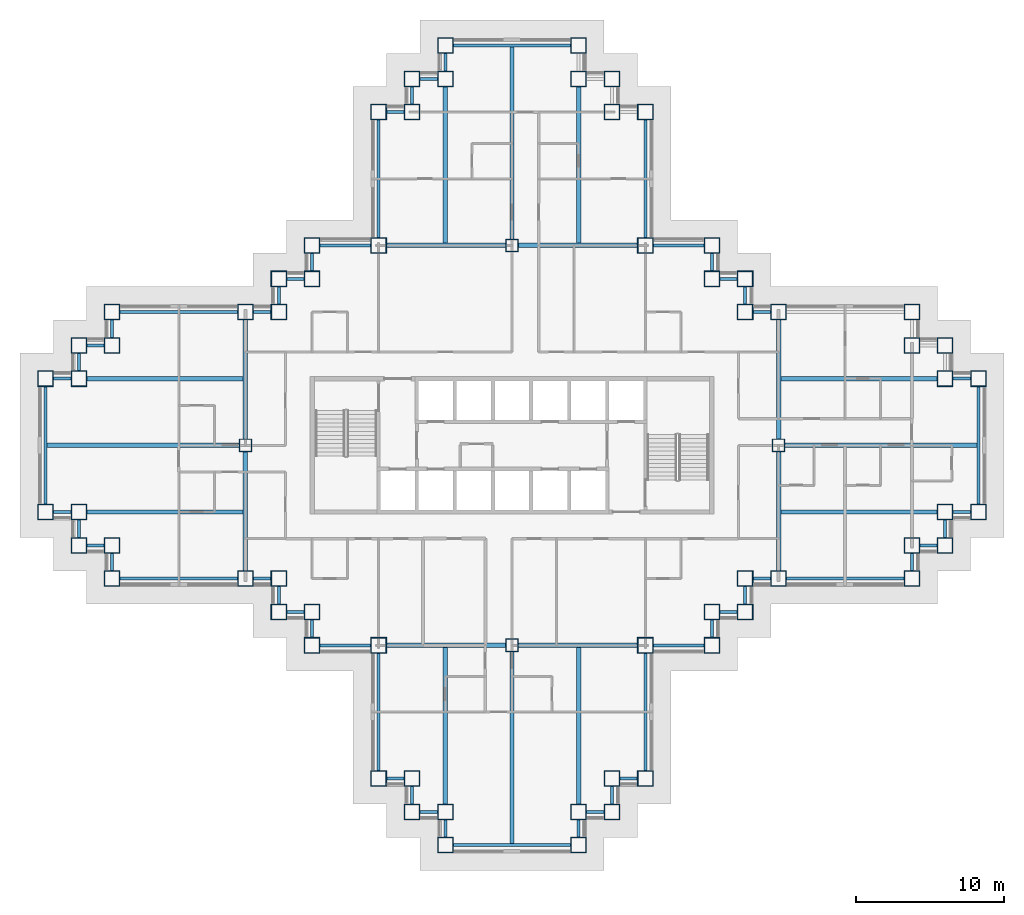
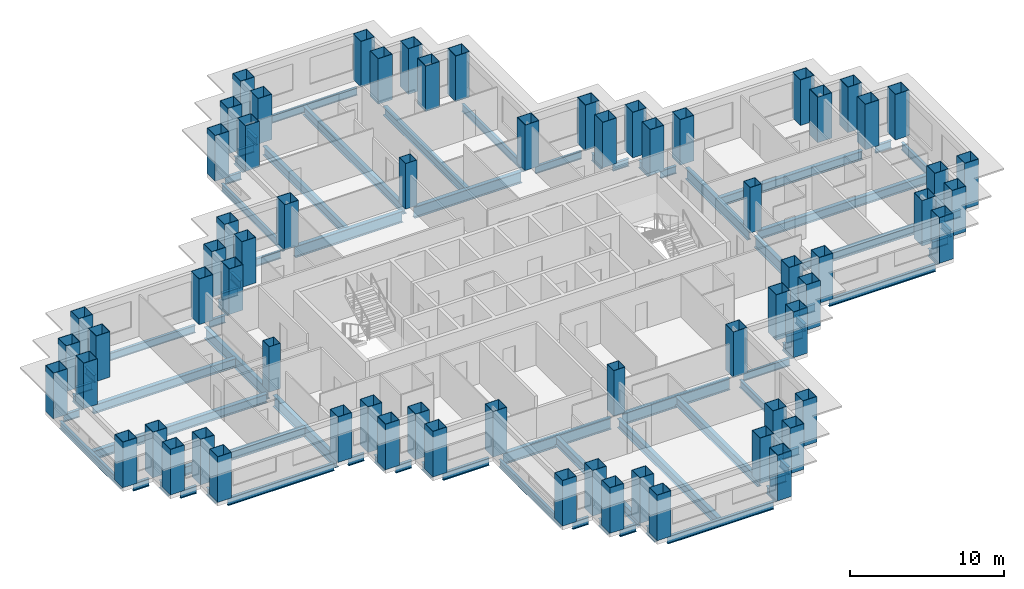
# One storey, part 1 of 14: 76 beams, 68 columns.
"""IFC4 building model written with IfcOpenShell, lengths in metres."""

from ifc_helpers import new_model, si_unit, direction, frame, origin, origin_2d, place, context, subcontext, project, spatial, hollow_rectangle, i_section, extrude, material, material_profile, profile_set, type_object, element, save


model = new_model("IFC4")

# Units and contexts
model_context = context("Model", 3, precision=1e-05, world=origin(), true_north=direction((0.0, 1.0)))
body_context = subcontext(model_context, "Body", "Model", "MODEL_VIEW")
ifc_project = project(units=[si_unit("LENGTHUNIT", "METRE"), si_unit("AREAUNIT", "SQUARE_METRE"), si_unit("VOLUMEUNIT", "CUBIC_METRE"), si_unit("PLANEANGLEUNIT", "RADIAN"), si_unit("MASSUNIT", "GRAM", prefix="KILO")], contexts=[model_context])

# Site, building, storey
site_placement = place(None, origin())
site = spatial("IfcSite", under=ifc_project, at=site_placement, CompositionType="ELEMENT")
building_placement = place(site_placement, origin())
building = spatial("IfcBuilding", under=site, at=building_placement, Name="Caravel Reach Hotel and Residences", CompositionType="ELEMENT")
storey_placement = place(building_placement, frame((0.0, 0.0, 37.199951171875)))
storey = spatial("IfcBuildingStorey", under=building, at=storey_placement, Name="L07", CompositionType="ELEMENT", Elevation=37.199951171875)

# Columns
ifc_material_1 = material(Name="Concrete-filled steel tube Q390B with Concrete C70 infill", Category="concrete")
ifc_material_profile_1 = material_profile(ifc_material_1, hollow_rectangle(XDim=1.050048828125, YDim=1.050048828125, WallThickness=0.033935546875, at=origin_2d()), Name="RHS 1050x1050x34")
ifc_profile_set_1 = profile_set([ifc_material_profile_1], Name="Concrete-filled steel tube Q390B with Concrete C70 infill")
column_type_1 = type_object("IfcColumnType", Name="CFT 1050x1050 Q390B C70", PredefinedType="COLUMN", material=ifc_profile_set_1)
for number, where, z_axis, x_axis, name in (
    (1, (22.5, 4.5, 0.0), (0.0, 0.0, 1.0), (1.0, 0.0, 0.0), "C11 column"),
    (2, (24.75, 4.5, 0.0), (0.0, 0.0, 1.0), (1.0, 0.0, 0.0), "C11 column"),
    (3, (24.75, 2.25, 0.0), (0.0, 0.0, 1.0), (1.0, 0.0, 0.0), "C11 column"),
    (4, (27.0, 2.25, 0.0), (0.0, 0.0, 1.0), (1.0, 0.0, 0.0), "C11 column"),
    (5, (27.0, 0.0, 0.0), (0.0, 0.0, 1.0), (1.0, 0.0, 0.0), "C11 column"),
    (6, (36.0, 0.0, 0.0), (0.0, 0.0, 1.0), (1.0, 0.0, 0.0), "C11 column"),
    (7, (36.0, 2.25, 0.0), (0.0, 0.0, 1.0), (1.0, 0.0, 0.0), "C11 column"),
    (8, (38.25, 2.25, 0.0), (0.0, 0.0, 1.0), (1.0, 0.0, 0.0), "C11 column"),
    (9, (38.25, 4.5, 0.0), (0.0, 0.0, 1.0), (1.0, 0.0, 0.0), "C11 column"),
    (10, (40.5, 4.5, 0.0), (0.0, 0.0, 1.0), (1.0, 0.0, 0.0), "C11 column"),
    (11, (40.5, 13.5, 0.0), (0.0, 0.0, 1.0), (1.0, 0.0, 0.0), "C11 column"),
    (12, (45.0, 13.5, 0.0), (0.0, 0.0, 1.0), (1.0, 0.0, 0.0), "C11 column"),
    (13, (45.0, 15.75, 0.0), (0.0, 0.0, 1.0), (1.0, 0.0, 0.0), "C11 column"),
    (14, (47.25, 15.75, 0.0), (0.0, 0.0, 1.0), (1.0, 0.0, 0.0), "C11 column"),
    (15, (47.25, 18.0, 0.0), (0.0, 0.0, 1.0), (1.0, 0.0, 0.0), "C11 column"),
    (16, (49.5, 18.0, 0.0), (0.0, 0.0, 1.0), (1.0, 0.0, 0.0), "C11 column"),
    (17, (58.5, 18.0, 0.0), (0.0, 0.0, 1.0), (1.0, 0.0, 0.0), "C11 column"),
    (18, (58.5, 20.25, 0.0), (0.0, 0.0, 1.0), (1.0, 0.0, 0.0), "C11 column"),
    (19, (60.75, 20.25, 0.0), (0.0, 0.0, 1.0), (1.0, 0.0, 0.0), "C11 column"),
    (20, (60.75, 22.5, 0.0), (0.0, 0.0, 1.0), (1.0, 0.0, 0.0), "C11 column"),
    (21, (63.0, 22.5, 0.0), (0.0, 0.0, 1.0), (1.0, 0.0, 0.0), "C11 column"),
    (22, (63.0, 31.5, 0.0), (0.0, 0.0, 1.0), (1.0, 0.0, 0.0), "C11 column"),
    (23, (60.75, 31.5, 0.0), (0.0, 0.0, 1.0), (1.0, 0.0, 0.0), "C11 column"),
    (24, (60.75, 33.75, 0.0), (0.0, 0.0, 1.0), (1.0, 0.0, 0.0), "C11 column"),
    (25, (58.5, 33.75, 0.0), (0.0, 0.0, 1.0), (1.0, 0.0, 0.0), "C11 column"),
    (26, (58.5, 36.0, 0.0), (0.0, 0.0, 1.0), (1.0, 0.0, 0.0), "C11 column"),
    (27, (49.5, 36.0, 0.0), (0.0, 0.0, 1.0), (1.0, 0.0, 0.0), "C11 column"),
    (28, (47.25, 36.0, 0.0), (0.0, 0.0, 1.0), (1.0, 0.0, 0.0), "C11 column"),
    (29, (47.25, 38.25, 0.0), (0.0, 0.0, 1.0), (1.0, 0.0, 0.0), "C11 column"),
    (30, (45.0, 38.25, 0.0), (0.0, 0.0, 1.0), (1.0, 0.0, 0.0), "C11 column"),
    (31, (45.0, 40.5, 0.0), (0.0, 0.0, 1.0), (1.0, 0.0, 0.0), "C11 column"),
    (32, (40.5, 40.5, 0.0), (0.0, 0.0, 1.0), (1.0, 0.0, 0.0), "C11 column"),
    (33, (40.5, 49.5, 0.0), (0.0, 0.0, 1.0), (1.0, 0.0, 0.0), "C11 column"),
    (34, (38.25, 49.5, 0.0), (0.0, 0.0, 1.0), (1.0, 0.0, 0.0), "C11 column"),
    (35, (38.25, 51.75, 0.0), (0.0, 0.0, 1.0), (1.0, 0.0, 0.0), "C11 column"),
    (36, (36.0, 51.75, 0.0), (0.0, 0.0, 1.0), (1.0, 0.0, 0.0), "C11 column"),
    (37, (36.0, 54.0, 0.0), (0.0, 0.0, 1.0), (1.0, 0.0, 0.0), "C11 column"),
    (38, (27.0, 54.0, 0.0), (0.0, 0.0, 1.0), (1.0, 0.0, 0.0), "C11 column"),
    (39, (27.0, 51.75, 0.0), (0.0, 0.0, 1.0), (1.0, 0.0, 0.0), "C11 column"),
    (40, (24.75, 51.75, 0.0), (0.0, 0.0, 1.0), (1.0, 0.0, 0.0), "C11 column"),
    (41, (24.75, 49.5, 0.0), (0.0, 0.0, 1.0), (1.0, 0.0, 0.0), "C11 column"),
    (42, (22.5, 49.5, 0.0), (0.0, 0.0, 1.0), (1.0, 0.0, 0.0), "C11 column"),
    (43, (22.5, 40.5, 0.0), (0.0, 0.0, 1.0), (1.0, 0.0, 0.0), "C11 column"),
    (44, (18.0, 40.5, 0.0), (0.0, 0.0, 1.0), (1.0, 0.0, 0.0), "C11 column"),
    (45, (18.0, 38.25, 0.0), (0.0, 0.0, 1.0), (1.0, 0.0, 0.0), "C11 column"),
    (46, (15.75, 38.25, 0.0), (0.0, 0.0, 1.0), (1.0, 0.0, 0.0), "C11 column"),
    (47, (15.75, 36.0, 0.0), (0.0, 0.0, 1.0), (1.0, 0.0, 0.0), "C11 column"),
    (48, (13.5, 36.0, 0.0), (0.0, 0.0, 1.0), (1.0, 0.0, 0.0), "C11 column"),
    (49, (4.5, 36.0, 0.0), (0.0, 0.0, 1.0), (1.0, 0.0, 0.0), "C11 column"),
    (50, (4.5, 33.75, 0.0), (0.0, 0.0, 1.0), (1.0, 0.0, 0.0), "C11 column"),
    (51, (2.25, 33.75, 0.0), (0.0, 0.0, 1.0), (1.0, 0.0, 0.0), "C11 column"),
    (52, (2.25, 31.5, 0.0), (0.0, 0.0, 1.0), (1.0, 0.0, 0.0), "C11 column"),
    (53, (0.0, 31.5, 0.0), (0.0, 0.0, 1.0), (1.0, 0.0, 0.0), "C11 column"),
    (54, (0.0, 22.5, 0.0), (0.0, 0.0, 1.0), (1.0, 0.0, 0.0), "C11 column"),
    (55, (2.25, 22.5, 0.0), (0.0, 0.0, 1.0), (1.0, 0.0, 0.0), "C11 column"),
    (56, (2.25, 20.25, 0.0), (0.0, 0.0, 1.0), (1.0, 0.0, 0.0), "C11 column"),
    (57, (4.5, 20.25, 0.0), (0.0, 0.0, 1.0), (1.0, 0.0, 0.0), "C11 column"),
    (58, (4.5, 18.0, 0.0), (0.0, 0.0, 1.0), (1.0, 0.0, 0.0), "C11 column"),
    (59, (13.5, 18.0, 0.0), (0.0, 0.0, 1.0), (1.0, 0.0, 0.0), "C11 column"),
    (60, (15.75, 18.0, 0.0), (0.0, 0.0, 1.0), (1.0, 0.0, 0.0), "C11 column"),
    (61, (15.75, 15.75, 0.0), (0.0, 0.0, 1.0), (1.0, 0.0, 0.0), "C11 column"),
    (62, (18.0, 15.75, 0.0), (0.0, 0.0, 1.0), (1.0, 0.0, 0.0), "C11 column"),
    (63, (18.0, 13.5, 0.0), (0.0, 0.0, 1.0), (1.0, 0.0, 0.0), "C11 column"),
    (64, (22.5, 13.5, 0.0), (0.0, 0.0, 1.0), (1.0, 0.0, 0.0), "C11 column"),
):
    element("IfcColumn", number, at=place(storey_placement, frame(where, z_axis=z_axis, x_axis=x_axis)), inside=storey, type_object=column_type_1, Name=name, PredefinedType="COLUMN", context=body_context, shape_type="SweptSolid", body=[
        extrude(hollow_rectangle(XDim=1.050048828125, YDim=1.050048828125, WallThickness=0.033935546875, at=origin_2d()), origin(), (0.0, 0.0, 1.0), 3.60009765625),
    ])
ifc_material_2 = material(Name="Concrete-filled steel tube Q390B with Concrete C70 infill", Category="concrete")
ifc_material_profile_2 = material_profile(ifc_material_2, hollow_rectangle(XDim=0.85009765625, YDim=0.85009765625, WallThickness=0.02587890625, at=origin_2d()), Name="RHS 850x850x26")
ifc_profile_set_2 = profile_set([ifc_material_profile_2], Name="Concrete-filled steel tube Q390B with Concrete C70 infill")
column_type_2 = type_object("IfcColumnType", Name="CFT 850x850 Q390B C70", PredefinedType="COLUMN", material=ifc_profile_set_2)
for number, where, z_axis, x_axis, name in (
    (65, (31.5, 40.5, 0.0), (0.0, 0.0, 1.0), (1.0, 0.0, 0.0), "C13 column"),
    (66, (31.5, 13.5, 0.0), (0.0, 0.0, 1.0), (1.0, 0.0, 0.0), "C13 column"),
    (67, (13.5, 27.0, 0.0), (0.0, 0.0, 1.0), (1.0, 0.0, 0.0), "C13 column"),
    (68, (49.5, 27.0, 0.0), (0.0, 0.0, 1.0), (1.0, 0.0, 0.0), "C13 column"),
):
    element("IfcColumn", number, at=place(storey_placement, frame(where, z_axis=z_axis, x_axis=x_axis)), inside=storey, type_object=column_type_2, Name=name, PredefinedType="COLUMN", context=body_context, shape_type="SweptSolid", body=[
        extrude(hollow_rectangle(XDim=0.85009765625, YDim=0.85009765625, WallThickness=0.02587890625, at=origin_2d()), origin(), (0.0, 0.0, 1.0), 3.60009765625),
    ])

# Beams
ifc_material_3 = material(Name="Structural steel Q355B", Category="steel")
ifc_material_profile_3 = material_profile(ifc_material_3, i_section(OverallWidth=0.300048828125, OverallDepth=0.699951171875, WebThickness=0.012939453125, FlangeThickness=0.02392578125, FilletRadius=0.01806640625, at=origin_2d()), Name="HN 700x300x13x24")
ifc_profile_set_3 = profile_set([ifc_material_profile_3], Name="Structural steel Q355B")
beam_type_1 = type_object("IfcBeamType", Name="Beam HN 700x300x13x24", PredefinedType="BEAM", material=ifc_profile_set_3)
beam_1_placement = place(storey_placement, frame((27.0, 40.60009765625, -0.64990234375), z_axis=(0.0, 1.0, 0.0), x_axis=(-1.0, 0.0, 0.0)))
element("IfcBeam", 69, at=beam_1_placement, inside=storey, type_object=beam_type_1, Name="B2 HN 700x300x13x24", PredefinedType="BEAM", context=body_context, shape_type="SweptSolid", body=[
    extrude(i_section(OverallWidth=0.300048828125, OverallDepth=0.699951171875, WebThickness=0.012939453125, FlangeThickness=0.02392578125, FilletRadius=0.01806640625, at=origin_2d()), origin(), (0.0, 0.0, 1.0), 10.6748046875),
])
beam_2_placement = place(storey_placement, frame((31.5, 40.875, -0.64990234375), z_axis=(0.0, 1.0, 0.0), x_axis=(-1.0, 0.0, 0.0)))
element("IfcBeam", 70, at=beam_2_placement, inside=storey, type_object=beam_type_1, Name="B2 HN 700x300x13x24", PredefinedType="BEAM", context=body_context, shape_type="SweptSolid", body=[
    extrude(i_section(OverallWidth=0.300048828125, OverallDepth=0.699951171875, WebThickness=0.012939453125, FlangeThickness=0.02392578125, FilletRadius=0.01806640625, at=origin_2d()), origin(), (0.0, 0.0, 1.0), 13.02490234375),
])
for number, where, z_axis, x_axis, name in (
    (71, (36.0, 40.60009765625, -0.64990234375), (0.0, 1.0, 0.0), (-1.0, 0.0, 0.0), "B2 HN 700x300x13x24"),
    (72, (27.0, 13.39990234375, -0.64990234375), (0.0, -1.0, 0.0), (1.0, 0.0, 0.0), "B2 HN 700x300x13x24"),
):
    element("IfcBeam", number, at=place(storey_placement, frame(where, z_axis=z_axis, x_axis=x_axis)), inside=storey, type_object=beam_type_1, Name=name, PredefinedType="BEAM", context=body_context, shape_type="SweptSolid", body=[
        extrude(i_section(OverallWidth=0.300048828125, OverallDepth=0.699951171875, WebThickness=0.012939453125, FlangeThickness=0.02392578125, FilletRadius=0.01806640625, at=origin_2d()), origin(), (0.0, 0.0, 1.0), 10.6748046875),
    ])
beam_3_placement = place(storey_placement, frame((31.5, 13.125, -0.64990234375), z_axis=(0.0, -1.0, 0.0), x_axis=(1.0, 0.0, 0.0)))
element("IfcBeam", 73, at=beam_3_placement, inside=storey, type_object=beam_type_1, Name="B2 HN 700x300x13x24", PredefinedType="BEAM", context=body_context, shape_type="SweptSolid", body=[
    extrude(i_section(OverallWidth=0.300048828125, OverallDepth=0.699951171875, WebThickness=0.012939453125, FlangeThickness=0.02392578125, FilletRadius=0.01806640625, at=origin_2d()), origin(), (0.0, 0.0, 1.0), 13.02490234375),
])
for number, where, z_axis, x_axis, name in (
    (74, (36.0, 13.39990234375, -0.64990234375), (0.0, -1.0, 0.0), (1.0, 0.0, 0.0), "B2 HN 700x300x13x24"),
    (75, (49.60009765625, 22.5, -0.64990234375), (1.0, 0.0, 0.0), (0.0, 1.0, 0.0), "B2 HN 700x300x13x24"),
):
    element("IfcBeam", number, at=place(storey_placement, frame(where, z_axis=z_axis, x_axis=x_axis)), inside=storey, type_object=beam_type_1, Name=name, PredefinedType="BEAM", context=body_context, shape_type="SweptSolid", body=[
        extrude(i_section(OverallWidth=0.300048828125, OverallDepth=0.699951171875, WebThickness=0.012939453125, FlangeThickness=0.02392578125, FilletRadius=0.01806640625, at=origin_2d()), origin(), (0.0, 0.0, 1.0), 10.6748046875),
    ])
beam_4_placement = place(storey_placement, frame((49.875, 27.0, -0.64990234375), z_axis=(1.0, 0.0, 0.0), x_axis=(0.0, 1.0, 0.0)))
element("IfcBeam", 76, at=beam_4_placement, inside=storey, type_object=beam_type_1, Name="B2 HN 700x300x13x24", PredefinedType="BEAM", context=body_context, shape_type="SweptSolid", body=[
    extrude(i_section(OverallWidth=0.300048828125, OverallDepth=0.699951171875, WebThickness=0.012939453125, FlangeThickness=0.02392578125, FilletRadius=0.01806640625, at=origin_2d()), origin(), (0.0, 0.0, 1.0), 13.02490234375),
])
for number, where, z_axis, x_axis, name in (
    (77, (49.60009765625, 31.5, -0.64990234375), (1.0, 0.0, 0.0), (0.0, 1.0, 0.0), "B2 HN 700x300x13x24"),
    (78, (13.39990234375, 22.5, -0.64990234375), (-1.0, 0.0, 0.0), (0.0, -1.0, 0.0), "B2 HN 700x300x13x24"),
):
    element("IfcBeam", number, at=place(storey_placement, frame(where, z_axis=z_axis, x_axis=x_axis)), inside=storey, type_object=beam_type_1, Name=name, PredefinedType="BEAM", context=body_context, shape_type="SweptSolid", body=[
        extrude(i_section(OverallWidth=0.300048828125, OverallDepth=0.699951171875, WebThickness=0.012939453125, FlangeThickness=0.02392578125, FilletRadius=0.01806640625, at=origin_2d()), origin(), (0.0, 0.0, 1.0), 10.6748046875),
    ])
beam_5_placement = place(storey_placement, frame((13.125, 27.0, -0.64990234375), z_axis=(-1.0, 0.0, 0.0), x_axis=(0.0, -1.0, 0.0)))
element("IfcBeam", 79, at=beam_5_placement, inside=storey, type_object=beam_type_1, Name="B2 HN 700x300x13x24", PredefinedType="BEAM", context=body_context, shape_type="SweptSolid", body=[
    extrude(i_section(OverallWidth=0.300048828125, OverallDepth=0.699951171875, WebThickness=0.012939453125, FlangeThickness=0.02392578125, FilletRadius=0.01806640625, at=origin_2d()), origin(), (0.0, 0.0, 1.0), 13.02490234375),
])
beam_6_placement = place(storey_placement, frame((13.39990234375, 31.5, -0.64990234375), z_axis=(-1.0, 0.0, 0.0), x_axis=(0.0, -1.0, 0.0)))
element("IfcBeam", 80, at=beam_6_placement, inside=storey, type_object=beam_type_1, Name="B2 HN 700x300x13x24", PredefinedType="BEAM", context=body_context, shape_type="SweptSolid", body=[
    extrude(i_section(OverallWidth=0.300048828125, OverallDepth=0.699951171875, WebThickness=0.012939453125, FlangeThickness=0.02392578125, FilletRadius=0.01806640625, at=origin_2d()), origin(), (0.0, 0.0, 1.0), 10.6748046875),
])
ifc_material_4 = material(Name="Structural steel Q355B", Category="steel")
ifc_material_profile_4 = material_profile(ifc_material_4, i_section(OverallWidth=0.300048828125, OverallDepth=0.89990234375, WebThickness=0.01611328125, FlangeThickness=0.028076171875, FilletRadius=0.01806640625, at=origin_2d()), Name="HN 900x300x16x28")
ifc_profile_set_4 = profile_set([ifc_material_profile_4], Name="Structural steel Q355B")
beam_type_2 = type_object("IfcBeamType", Name="Beam HN 900x300x16x28", PredefinedType="BEAM", material=ifc_profile_set_4)
for number, where, z_axis, x_axis, name in (
    (81, (23.02490234375, 40.5, -0.75), (1.0, 0.0, 0.0), (0.0, 1.0, 0.0), "B3 HN 900x300x16x28"),
    (82, (31.925048828125, 40.5, -0.75), (1.0, 0.0, 0.0), (0.0, 1.0, 0.0), "B3 HN 900x300x16x28"),
    (83, (23.02490234375, 13.5, -0.75), (1.0, 0.0, 0.0), (0.0, 1.0, 0.0), "B3 HN 900x300x16x28"),
    (84, (31.925048828125, 13.5, -0.75), (1.0, 0.0, 0.0), (0.0, 1.0, 0.0), "B3 HN 900x300x16x28"),
    (85, (13.5, 18.52490234375, -0.75), (0.0, 1.0, 0.0), (-1.0, 0.0, 0.0), "B3 HN 900x300x16x28"),
    (86, (13.5, 27.425048828125, -0.75), (0.0, 1.0, 0.0), (-1.0, 0.0, 0.0), "B3 HN 900x300x16x28"),
    (87, (49.5, 18.52490234375, -0.75), (0.0, 1.0, 0.0), (-1.0, 0.0, 0.0), "B3 HN 900x300x16x28"),
    (88, (49.5, 27.425048828125, -0.75), (0.0, 1.0, 0.0), (-1.0, 0.0, 0.0), "B3 HN 900x300x16x28"),
):
    element("IfcBeam", number, at=place(storey_placement, frame(where, z_axis=z_axis, x_axis=x_axis)), inside=storey, type_object=beam_type_2, Name=name, PredefinedType="BEAM", context=body_context, shape_type="SweptSolid", body=[
        extrude(i_section(OverallWidth=0.300048828125, OverallDepth=0.89990234375, WebThickness=0.01611328125, FlangeThickness=0.028076171875, FilletRadius=0.01806640625, at=origin_2d()), origin(), (0.0, 0.0, 1.0), 8.050048828125),
    ])
ifc_material_5 = material(Name="Structural steel Q355B", Category="steel")
ifc_material_profile_5 = material_profile(ifc_material_5, i_section(OverallWidth=0.199951171875, OverallDepth=0.60009765625, WebThickness=0.010986328125, FlangeThickness=0.01708984375, FilletRadius=0.012939453125, at=origin_2d()), Name="HN 600x200x11x17")
ifc_profile_set_5 = profile_set([ifc_material_profile_5], Name="Structural steel Q355B")
beam_type_3 = type_object("IfcBeamType", Name="Spandrel beam HN 600x200x11x17", PredefinedType="SPANDREL", material=ifc_profile_set_5)
for number, where, z_axis, x_axis, name in (
    (89, (23.02490234375, 4.5, -0.599853515625), (1.0, 0.0, 0.0), (0.0, 1.0, 0.0), "SP1 HN 600x200x11x17"),
    (90, (24.75, 3.97509765625, -0.599853515625), (0.0, -1.0, 0.0), (1.0, 0.0, 0.0), "SP1 HN 600x200x11x17"),
    (91, (25.27490234375, 2.25, -0.599853515625), (1.0, 0.0, 0.0), (0.0, 1.0, 0.0), "SP1 HN 600x200x11x17"),
    (92, (27.0, 1.72509765625, -0.599853515625), (0.0, -1.0, 0.0), (1.0, 0.0, 0.0), "SP1 HN 600x200x11x17"),
):
    element("IfcBeam", number, at=place(storey_placement, frame(where, z_axis=z_axis, x_axis=x_axis)), inside=storey, type_object=beam_type_3, Name=name, PredefinedType="SPANDREL", context=body_context, shape_type="SweptSolid", body=[
        extrude(i_section(OverallWidth=0.199951171875, OverallDepth=0.60009765625, WebThickness=0.010986328125, FlangeThickness=0.01708984375, FilletRadius=0.012939453125, at=origin_2d()), origin(), (0.0, 0.0, 1.0), 1.2001953125),
    ])
beam_7_placement = place(storey_placement, frame((27.52490234375, 0.0, -0.599853515625), z_axis=(1.0, 0.0, 0.0), x_axis=(0.0, 1.0, 0.0)))
element("IfcBeam", 93, at=beam_7_placement, inside=storey, type_object=beam_type_3, Name="SP1 HN 600x200x11x17", PredefinedType="SPANDREL", context=body_context, shape_type="SweptSolid", body=[
    extrude(i_section(OverallWidth=0.199951171875, OverallDepth=0.60009765625, WebThickness=0.010986328125, FlangeThickness=0.01708984375, FilletRadius=0.012939453125, at=origin_2d()), origin(), (0.0, 0.0, 1.0), 7.9501953125),
])
for number, where, z_axis, x_axis, name in (
    (94, (36.0, 0.52490234375, -0.599853515625), (0.0, 1.0, 0.0), (-1.0, 0.0, 0.0), "SP1 HN 600x200x11x17"),
    (95, (36.52490234375, 2.25, -0.599853515625), (1.0, 0.0, 0.0), (0.0, 1.0, 0.0), "SP1 HN 600x200x11x17"),
    (96, (38.25, 2.77490234375, -0.599853515625), (0.0, 1.0, 0.0), (-1.0, 0.0, 0.0), "SP1 HN 600x200x11x17"),
    (97, (38.77490234375, 4.5, -0.599853515625), (1.0, 0.0, 0.0), (0.0, 1.0, 0.0), "SP1 HN 600x200x11x17"),
):
    element("IfcBeam", number, at=place(storey_placement, frame(where, z_axis=z_axis, x_axis=x_axis)), inside=storey, type_object=beam_type_3, Name=name, PredefinedType="SPANDREL", context=body_context, shape_type="SweptSolid", body=[
        extrude(i_section(OverallWidth=0.199951171875, OverallDepth=0.60009765625, WebThickness=0.010986328125, FlangeThickness=0.01708984375, FilletRadius=0.012939453125, at=origin_2d()), origin(), (0.0, 0.0, 1.0), 1.2001953125),
    ])
beam_8_placement = place(storey_placement, frame((40.5, 5.02490234375, -0.599853515625), z_axis=(0.0, 1.0, 0.0), x_axis=(-1.0, 0.0, 0.0)))
element("IfcBeam", 98, at=beam_8_placement, inside=storey, type_object=beam_type_3, Name="SP1 HN 600x200x11x17", PredefinedType="SPANDREL", context=body_context, shape_type="SweptSolid", body=[
    extrude(i_section(OverallWidth=0.199951171875, OverallDepth=0.60009765625, WebThickness=0.010986328125, FlangeThickness=0.01708984375, FilletRadius=0.012939453125, at=origin_2d()), origin(), (0.0, 0.0, 1.0), 7.9501953125),
])
beam_9_placement = place(storey_placement, frame((41.02490234375, 13.5, -0.599853515625), z_axis=(1.0, 0.0, 0.0), x_axis=(0.0, 1.0, 0.0)))
element("IfcBeam", 99, at=beam_9_placement, inside=storey, type_object=beam_type_3, Name="SP1 HN 600x200x11x17", PredefinedType="SPANDREL", context=body_context, shape_type="SweptSolid", body=[
    extrude(i_section(OverallWidth=0.199951171875, OverallDepth=0.60009765625, WebThickness=0.010986328125, FlangeThickness=0.01708984375, FilletRadius=0.012939453125, at=origin_2d()), origin(), (0.0, 0.0, 1.0), 3.4501953125),
])
for number, where, z_axis, x_axis, name in (
    (100, (45.0, 14.02490234375, -0.599853515625), (0.0, 1.0, 0.0), (-1.0, 0.0, 0.0), "SP1 HN 600x200x11x17"),
    (101, (45.52490234375, 15.75, -0.599853515625), (1.0, 0.0, 0.0), (0.0, 1.0, 0.0), "SP1 HN 600x200x11x17"),
    (102, (47.25, 16.27490234375, -0.599853515625), (0.0, 1.0, 0.0), (-1.0, 0.0, 0.0), "SP1 HN 600x200x11x17"),
    (103, (47.77490234375, 18.0, -0.599853515625), (1.0, 0.0, 0.0), (0.0, 1.0, 0.0), "SP1 HN 600x200x11x17"),
):
    element("IfcBeam", number, at=place(storey_placement, frame(where, z_axis=z_axis, x_axis=x_axis)), inside=storey, type_object=beam_type_3, Name=name, PredefinedType="SPANDREL", context=body_context, shape_type="SweptSolid", body=[
        extrude(i_section(OverallWidth=0.199951171875, OverallDepth=0.60009765625, WebThickness=0.010986328125, FlangeThickness=0.01708984375, FilletRadius=0.012939453125, at=origin_2d()), origin(), (0.0, 0.0, 1.0), 1.2001953125),
    ])
beam_10_placement = place(storey_placement, frame((50.02490234375, 18.0, -0.599853515625), z_axis=(1.0, 0.0, 0.0), x_axis=(0.0, 1.0, 0.0)))
element("IfcBeam", 104, at=beam_10_placement, inside=storey, type_object=beam_type_3, Name="SP1 HN 600x200x11x17", PredefinedType="SPANDREL", context=body_context, shape_type="SweptSolid", body=[
    extrude(i_section(OverallWidth=0.199951171875, OverallDepth=0.60009765625, WebThickness=0.010986328125, FlangeThickness=0.01708984375, FilletRadius=0.012939453125, at=origin_2d()), origin(), (0.0, 0.0, 1.0), 7.9501953125),
])
for number, where, z_axis, x_axis, name in (
    (105, (58.5, 18.52490234375, -0.599853515625), (0.0, 1.0, 0.0), (-1.0, 0.0, 0.0), "SP1 HN 600x200x11x17"),
    (106, (59.02490234375, 20.25, -0.599853515625), (1.0, 0.0, 0.0), (0.0, 1.0, 0.0), "SP1 HN 600x200x11x17"),
    (107, (60.75, 20.77490234375, -0.599853515625), (0.0, 1.0, 0.0), (-1.0, 0.0, 0.0), "SP1 HN 600x200x11x17"),
    (108, (61.27490234375, 22.5, -0.599853515625), (1.0, 0.0, 0.0), (0.0, 1.0, 0.0), "SP1 HN 600x200x11x17"),
):
    element("IfcBeam", number, at=place(storey_placement, frame(where, z_axis=z_axis, x_axis=x_axis)), inside=storey, type_object=beam_type_3, Name=name, PredefinedType="SPANDREL", context=body_context, shape_type="SweptSolid", body=[
        extrude(i_section(OverallWidth=0.199951171875, OverallDepth=0.60009765625, WebThickness=0.010986328125, FlangeThickness=0.01708984375, FilletRadius=0.012939453125, at=origin_2d()), origin(), (0.0, 0.0, 1.0), 1.2001953125),
    ])
beam_11_placement = place(storey_placement, frame((63.0, 23.02490234375, -0.599853515625), z_axis=(0.0, 1.0, 0.0), x_axis=(-1.0, 0.0, 0.0)))
element("IfcBeam", 109, at=beam_11_placement, inside=storey, type_object=beam_type_3, Name="SP1 HN 600x200x11x17", PredefinedType="SPANDREL", context=body_context, shape_type="SweptSolid", body=[
    extrude(i_section(OverallWidth=0.199951171875, OverallDepth=0.60009765625, WebThickness=0.010986328125, FlangeThickness=0.01708984375, FilletRadius=0.012939453125, at=origin_2d()), origin(), (0.0, 0.0, 1.0), 7.9501953125),
])
for number, where, z_axis, x_axis, name in (
    (110, (62.47509765625, 31.5, -0.599853515625), (-1.0, 0.0, 0.0), (0.0, -1.0, 0.0), "SP1 HN 600x200x11x17"),
    (111, (48.97509765625, 36.0, -0.599853515625), (-1.0, 0.0, 0.0), (0.0, -1.0, 0.0), "SP1 HN 600x200x11x17"),
    (112, (47.25, 36.52490234375, -0.599853515625), (0.0, 1.0, 0.0), (-1.0, 0.0, 0.0), "SP1 HN 600x200x11x17"),
    (113, (46.72509765625, 38.25, -0.599853515625), (-1.0, 0.0, 0.0), (0.0, -1.0, 0.0), "SP1 HN 600x200x11x17"),
    (114, (45.0, 38.77490234375, -0.599853515625), (0.0, 1.0, 0.0), (-1.0, 0.0, 0.0), "SP1 HN 600x200x11x17"),
):
    element("IfcBeam", number, at=place(storey_placement, frame(where, z_axis=z_axis, x_axis=x_axis)), inside=storey, type_object=beam_type_3, Name=name, PredefinedType="SPANDREL", context=body_context, shape_type="SweptSolid", body=[
        extrude(i_section(OverallWidth=0.199951171875, OverallDepth=0.60009765625, WebThickness=0.010986328125, FlangeThickness=0.01708984375, FilletRadius=0.012939453125, at=origin_2d()), origin(), (0.0, 0.0, 1.0), 1.2001953125),
    ])
beam_12_placement = place(storey_placement, frame((44.47509765625, 40.5, -0.599853515625), z_axis=(-1.0, 0.0, 0.0), x_axis=(0.0, -1.0, 0.0)))
element("IfcBeam", 115, at=beam_12_placement, inside=storey, type_object=beam_type_3, Name="SP1 HN 600x200x11x17", PredefinedType="SPANDREL", context=body_context, shape_type="SweptSolid", body=[
    extrude(i_section(OverallWidth=0.199951171875, OverallDepth=0.60009765625, WebThickness=0.010986328125, FlangeThickness=0.01708984375, FilletRadius=0.012939453125, at=origin_2d()), origin(), (0.0, 0.0, 1.0), 3.4501953125),
])
for number, where, z_axis, x_axis, name in (
    (116, (40.5, 41.02490234375, -0.599853515625), (0.0, 1.0, 0.0), (-1.0, 0.0, 0.0), "SP1 HN 600x200x11x17"),
    (117, (35.47509765625, 54.0, -0.599853515625), (-1.0, 0.0, 0.0), (0.0, -1.0, 0.0), "SP1 HN 600x200x11x17"),
):
    element("IfcBeam", number, at=place(storey_placement, frame(where, z_axis=z_axis, x_axis=x_axis)), inside=storey, type_object=beam_type_3, Name=name, PredefinedType="SPANDREL", context=body_context, shape_type="SweptSolid", body=[
        extrude(i_section(OverallWidth=0.199951171875, OverallDepth=0.60009765625, WebThickness=0.010986328125, FlangeThickness=0.01708984375, FilletRadius=0.012939453125, at=origin_2d()), origin(), (0.0, 0.0, 1.0), 7.9501953125),
    ])
for number, where, z_axis, x_axis, name in (
    (118, (27.0, 53.47509765625, -0.599853515625), (0.0, -1.0, 0.0), (1.0, 0.0, 0.0), "SP1 HN 600x200x11x17"),
    (119, (26.47509765625, 51.75, -0.599853515625), (-1.0, 0.0, 0.0), (0.0, -1.0, 0.0), "SP1 HN 600x200x11x17"),
    (120, (24.75, 51.22509765625, -0.599853515625), (0.0, -1.0, 0.0), (1.0, 0.0, 0.0), "SP1 HN 600x200x11x17"),
    (121, (24.22509765625, 49.5, -0.599853515625), (-1.0, 0.0, 0.0), (0.0, -1.0, 0.0), "SP1 HN 600x200x11x17"),
):
    element("IfcBeam", number, at=place(storey_placement, frame(where, z_axis=z_axis, x_axis=x_axis)), inside=storey, type_object=beam_type_3, Name=name, PredefinedType="SPANDREL", context=body_context, shape_type="SweptSolid", body=[
        extrude(i_section(OverallWidth=0.199951171875, OverallDepth=0.60009765625, WebThickness=0.010986328125, FlangeThickness=0.01708984375, FilletRadius=0.012939453125, at=origin_2d()), origin(), (0.0, 0.0, 1.0), 1.2001953125),
    ])
beam_13_placement = place(storey_placement, frame((22.5, 48.97509765625, -0.599853515625), z_axis=(0.0, -1.0, 0.0), x_axis=(1.0, 0.0, 0.0)))
element("IfcBeam", 122, at=beam_13_placement, inside=storey, type_object=beam_type_3, Name="SP1 HN 600x200x11x17", PredefinedType="SPANDREL", context=body_context, shape_type="SweptSolid", body=[
    extrude(i_section(OverallWidth=0.199951171875, OverallDepth=0.60009765625, WebThickness=0.010986328125, FlangeThickness=0.01708984375, FilletRadius=0.012939453125, at=origin_2d()), origin(), (0.0, 0.0, 1.0), 7.9501953125),
])
beam_14_placement = place(storey_placement, frame((21.97509765625, 40.5, -0.599853515625), z_axis=(-1.0, 0.0, 0.0), x_axis=(0.0, -1.0, 0.0)))
element("IfcBeam", 123, at=beam_14_placement, inside=storey, type_object=beam_type_3, Name="SP1 HN 600x200x11x17", PredefinedType="SPANDREL", context=body_context, shape_type="SweptSolid", body=[
    extrude(i_section(OverallWidth=0.199951171875, OverallDepth=0.60009765625, WebThickness=0.010986328125, FlangeThickness=0.01708984375, FilletRadius=0.012939453125, at=origin_2d()), origin(), (0.0, 0.0, 1.0), 3.4501953125),
])
for number, where, z_axis, x_axis, name in (
    (124, (18.0, 39.97509765625, -0.599853515625), (0.0, -1.0, 0.0), (1.0, 0.0, 0.0), "SP1 HN 600x200x11x17"),
    (125, (17.47509765625, 38.25, -0.599853515625), (-1.0, 0.0, 0.0), (0.0, -1.0, 0.0), "SP1 HN 600x200x11x17"),
    (126, (15.75, 37.72509765625, -0.599853515625), (0.0, -1.0, 0.0), (1.0, 0.0, 0.0), "SP1 HN 600x200x11x17"),
    (127, (15.22509765625, 36.0, -0.599853515625), (-1.0, 0.0, 0.0), (0.0, -1.0, 0.0), "SP1 HN 600x200x11x17"),
):
    element("IfcBeam", number, at=place(storey_placement, frame(where, z_axis=z_axis, x_axis=x_axis)), inside=storey, type_object=beam_type_3, Name=name, PredefinedType="SPANDREL", context=body_context, shape_type="SweptSolid", body=[
        extrude(i_section(OverallWidth=0.199951171875, OverallDepth=0.60009765625, WebThickness=0.010986328125, FlangeThickness=0.01708984375, FilletRadius=0.012939453125, at=origin_2d()), origin(), (0.0, 0.0, 1.0), 1.2001953125),
    ])
beam_15_placement = place(storey_placement, frame((12.97509765625, 36.0, -0.599853515625), z_axis=(-1.0, 0.0, 0.0), x_axis=(0.0, -1.0, 0.0)))
element("IfcBeam", 128, at=beam_15_placement, inside=storey, type_object=beam_type_3, Name="SP1 HN 600x200x11x17", PredefinedType="SPANDREL", context=body_context, shape_type="SweptSolid", body=[
    extrude(i_section(OverallWidth=0.199951171875, OverallDepth=0.60009765625, WebThickness=0.010986328125, FlangeThickness=0.01708984375, FilletRadius=0.012939453125, at=origin_2d()), origin(), (0.0, 0.0, 1.0), 7.9501953125),
])
for number, where, z_axis, x_axis, name in (
    (129, (4.5, 35.47509765625, -0.599853515625), (0.0, -1.0, 0.0), (1.0, 0.0, 0.0), "SP1 HN 600x200x11x17"),
    (130, (3.97509765625, 33.75, -0.599853515625), (-1.0, 0.0, 0.0), (0.0, -1.0, 0.0), "SP1 HN 600x200x11x17"),
    (131, (2.25, 33.22509765625, -0.599853515625), (0.0, -1.0, 0.0), (1.0, 0.0, 0.0), "SP1 HN 600x200x11x17"),
    (132, (1.72509765625, 31.5, -0.599853515625), (-1.0, 0.0, 0.0), (0.0, -1.0, 0.0), "SP1 HN 600x200x11x17"),
):
    element("IfcBeam", number, at=place(storey_placement, frame(where, z_axis=z_axis, x_axis=x_axis)), inside=storey, type_object=beam_type_3, Name=name, PredefinedType="SPANDREL", context=body_context, shape_type="SweptSolid", body=[
        extrude(i_section(OverallWidth=0.199951171875, OverallDepth=0.60009765625, WebThickness=0.010986328125, FlangeThickness=0.01708984375, FilletRadius=0.012939453125, at=origin_2d()), origin(), (0.0, 0.0, 1.0), 1.2001953125),
    ])
beam_16_placement = place(storey_placement, frame((0.0, 30.97509765625, -0.599853515625), z_axis=(0.0, -1.0, 0.0), x_axis=(1.0, 0.0, 0.0)))
element("IfcBeam", 133, at=beam_16_placement, inside=storey, type_object=beam_type_3, Name="SP1 HN 600x200x11x17", PredefinedType="SPANDREL", context=body_context, shape_type="SweptSolid", body=[
    extrude(i_section(OverallWidth=0.199951171875, OverallDepth=0.60009765625, WebThickness=0.010986328125, FlangeThickness=0.01708984375, FilletRadius=0.012939453125, at=origin_2d()), origin(), (0.0, 0.0, 1.0), 7.9501953125),
])
for number, where, z_axis, x_axis, name in (
    (134, (0.52490234375, 22.5, -0.599853515625), (1.0, 0.0, 0.0), (0.0, 1.0, 0.0), "SP1 HN 600x200x11x17"),
    (135, (2.25, 21.97509765625, -0.599853515625), (0.0, -1.0, 0.0), (1.0, 0.0, 0.0), "SP1 HN 600x200x11x17"),
    (136, (2.77490234375, 20.25, -0.599853515625), (1.0, 0.0, 0.0), (0.0, 1.0, 0.0), "SP1 HN 600x200x11x17"),
    (137, (4.5, 19.72509765625, -0.599853515625), (0.0, -1.0, 0.0), (1.0, 0.0, 0.0), "SP1 HN 600x200x11x17"),
):
    element("IfcBeam", number, at=place(storey_placement, frame(where, z_axis=z_axis, x_axis=x_axis)), inside=storey, type_object=beam_type_3, Name=name, PredefinedType="SPANDREL", context=body_context, shape_type="SweptSolid", body=[
        extrude(i_section(OverallWidth=0.199951171875, OverallDepth=0.60009765625, WebThickness=0.010986328125, FlangeThickness=0.01708984375, FilletRadius=0.012939453125, at=origin_2d()), origin(), (0.0, 0.0, 1.0), 1.2001953125),
    ])
beam_17_placement = place(storey_placement, frame((5.02490234375, 18.0, -0.599853515625), z_axis=(1.0, 0.0, 0.0), x_axis=(0.0, 1.0, 0.0)))
element("IfcBeam", 138, at=beam_17_placement, inside=storey, type_object=beam_type_3, Name="SP1 HN 600x200x11x17", PredefinedType="SPANDREL", context=body_context, shape_type="SweptSolid", body=[
    extrude(i_section(OverallWidth=0.199951171875, OverallDepth=0.60009765625, WebThickness=0.010986328125, FlangeThickness=0.01708984375, FilletRadius=0.012939453125, at=origin_2d()), origin(), (0.0, 0.0, 1.0), 7.9501953125),
])
for number, where, z_axis, x_axis, name in (
    (139, (14.02490234375, 18.0, -0.599853515625), (1.0, 0.0, 0.0), (0.0, 1.0, 0.0), "SP1 HN 600x200x11x17"),
    (140, (15.75, 17.47509765625, -0.599853515625), (0.0, -1.0, 0.0), (1.0, 0.0, 0.0), "SP1 HN 600x200x11x17"),
    (141, (16.27490234375, 15.75, -0.599853515625), (1.0, 0.0, 0.0), (0.0, 1.0, 0.0), "SP1 HN 600x200x11x17"),
    (142, (18.0, 15.22509765625, -0.599853515625), (0.0, -1.0, 0.0), (1.0, 0.0, 0.0), "SP1 HN 600x200x11x17"),
):
    element("IfcBeam", number, at=place(storey_placement, frame(where, z_axis=z_axis, x_axis=x_axis)), inside=storey, type_object=beam_type_3, Name=name, PredefinedType="SPANDREL", context=body_context, shape_type="SweptSolid", body=[
        extrude(i_section(OverallWidth=0.199951171875, OverallDepth=0.60009765625, WebThickness=0.010986328125, FlangeThickness=0.01708984375, FilletRadius=0.012939453125, at=origin_2d()), origin(), (0.0, 0.0, 1.0), 1.2001953125),
    ])
beam_18_placement = place(storey_placement, frame((18.52490234375, 13.5, -0.599853515625), z_axis=(1.0, 0.0, 0.0), x_axis=(0.0, 1.0, 0.0)))
element("IfcBeam", 143, at=beam_18_placement, inside=storey, type_object=beam_type_3, Name="SP1 HN 600x200x11x17", PredefinedType="SPANDREL", context=body_context, shape_type="SweptSolid", body=[
    extrude(i_section(OverallWidth=0.199951171875, OverallDepth=0.60009765625, WebThickness=0.010986328125, FlangeThickness=0.01708984375, FilletRadius=0.012939453125, at=origin_2d()), origin(), (0.0, 0.0, 1.0), 3.4501953125),
])
beam_19_placement = place(storey_placement, frame((22.5, 12.97509765625, -0.599853515625), z_axis=(0.0, -1.0, 0.0), x_axis=(1.0, 0.0, 0.0)))
element("IfcBeam", 144, at=beam_19_placement, inside=storey, type_object=beam_type_3, Name="SP1 HN 600x200x11x17", PredefinedType="SPANDREL", context=body_context, shape_type="SweptSolid", body=[
    extrude(i_section(OverallWidth=0.199951171875, OverallDepth=0.60009765625, WebThickness=0.010986328125, FlangeThickness=0.01708984375, FilletRadius=0.012939453125, at=origin_2d()), origin(), (0.0, 0.0, 1.0), 7.9501953125),
])

save(model, "model.ifc")
